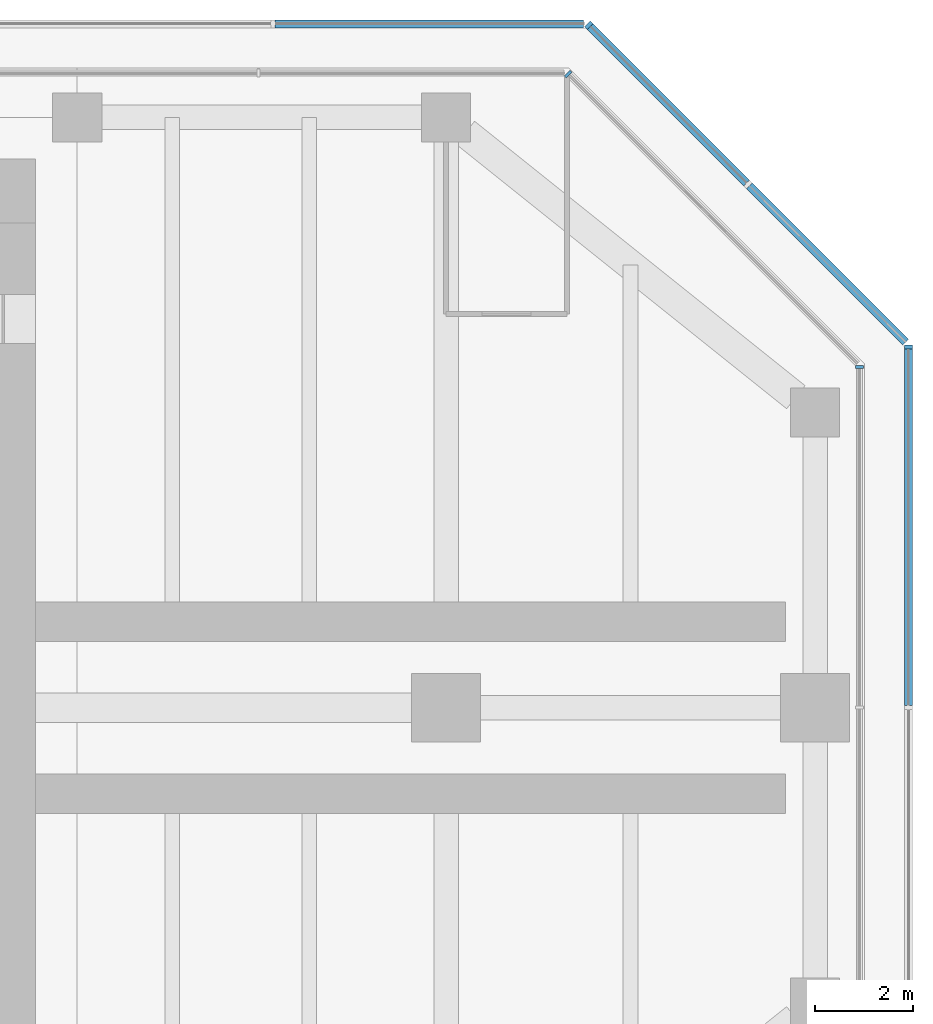
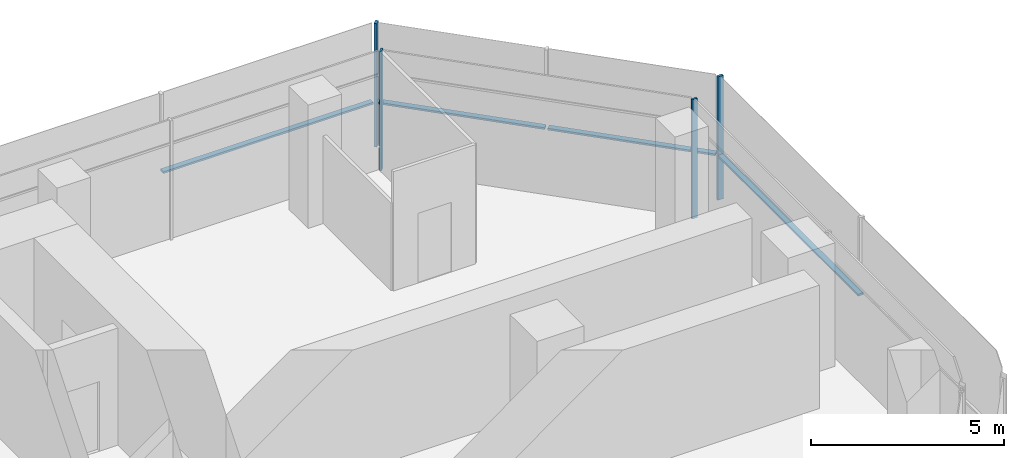
# One storey, part 8 of 15: 8 members, 5 elements without a shape of their own.
"""IFC4 building model written with IfcOpenShell, lengths in metres."""

from ifc_helpers import new_model, si_unit, direction, frame, origin, origin_2d, place, context, subcontext, project, spatial, rectangle, extrude, material, material_profile, profile_set, type_object, element, aggregate, save


model = new_model("IFC4")

# Units and contexts
model_context = context("Model", 3, precision=1e-05, world=origin(), true_north=direction((0.0, 1.0)))
body_context = subcontext(model_context, "Body", "Model", "MODEL_VIEW")
ifc_project = project(units=[si_unit("LENGTHUNIT", "METRE"), si_unit("AREAUNIT", "SQUARE_METRE"), si_unit("VOLUMEUNIT", "CUBIC_METRE"), si_unit("PLANEANGLEUNIT", "RADIAN"), si_unit("MASSUNIT", "GRAM", prefix="KILO")], contexts=[model_context])

# Site, building, storey
site_placement = place(None, origin())
site = spatial("IfcSite", under=ifc_project, at=site_placement, CompositionType="ELEMENT")
building_placement = place(site_placement, origin())
building = spatial("IfcBuilding", under=site, at=building_placement, Name="Mizan Broadcast Tower", CompositionType="ELEMENT")
storey_placement = place(building_placement, frame((0.0, 0.0, 279.0)))
storey = spatial("IfcBuildingStorey", under=building, at=storey_placement, Name="L66", CompositionType="ELEMENT", Elevation=279.0)

# Curtain wall, member
ifc_material_1 = material(Name="Aluminium framed glazing", Category="aluminium")
curtain_wall_type_1 = type_object("IfcCurtainWallType", Name="INNER SKIN TOP ZONE", PredefinedType="USERDEFINED", material=ifc_material_1)
curtain_wall_1_placement = place(storey_placement, origin())
curtain_wall_1 = element("IfcCurtainWall", 1, at=curtain_wall_1_placement, inside=storey, type_object=curtain_wall_type_1, Name="Inner skin top zone L66 E end", ObjectType="INNER SKIN TOP ZONE", PredefinedType="USERDEFINED")
ifc_material_2 = material(Name="Aluminium, pale anodised", Category="aluminium")
ifc_material_profile_1 = material_profile(ifc_material_2, rectangle(XDim=0.159912109375, YDim=0.06005859375, at=origin_2d()), Name="MULLION 160x60")
ifc_profile_set_1 = profile_set([ifc_material_profile_1], Name="Aluminium, pale anodised")
member_type_1 = type_object("IfcMemberType", Name="INNER SKIN MULLION 60x160", PredefinedType="MULLION", material=ifc_profile_set_1)
member_1_placement = place(storey_placement, frame((27.89990234375, 6.928466796875, 0.0), z_axis=(0.0, 0.0, 1.0), x_axis=(-1.0, 0.0, 0.0)))
member_1 = element("IfcMember", 2, at=member_1_placement, type_object=member_type_1, Name="Inner skin top zone L66 E end mullion 3", PredefinedType="MULLION", context=body_context, shape_type="SweptSolid", body=[
    extrude(rectangle(XDim=0.159912109375, YDim=0.06005859375, at=origin_2d()), origin(), (0.0, 0.0, 1.0), 3.77001953125),
])
aggregate(curtain_wall_1, [member_1])

curtain_wall_2_placement = place(storey_placement, origin())
curtain_wall_2 = element("IfcCurtainWall", 3, at=curtain_wall_2_placement, inside=storey, type_object=curtain_wall_type_1, Name="Inner skin top zone L66 E chamfer", ObjectType="INNER SKIN TOP ZONE", PredefinedType="USERDEFINED")
member_2_placement = place(storey_placement, frame((21.979736328125, 12.87890625, 0.0), z_axis=(0.0, 0.0, 1.0), x_axis=(-0.707106781187, -0.707106781187, 0.0)))
member_2 = element("IfcMember", 4, at=member_2_placement, type_object=member_type_1, Name="Inner skin top zone L66 E chamfer mullion 2", PredefinedType="MULLION", context=body_context, shape_type="SweptSolid", body=[
    extrude(rectangle(XDim=0.159912109375, YDim=0.06005859375, at=origin_2d()), origin(), (0.0, 0.0, 1.0), 3.77001953125),
])
aggregate(curtain_wall_2, [member_2])

ifc_material_3 = material(Name="Aluminium framed glazing", Category="aluminium")
curtain_wall_type_2 = type_object("IfcCurtainWallType", Name="OUTER SKIN", PredefinedType="USERDEFINED", material=ifc_material_3)
curtain_wall_3_placement = place(storey_placement, origin())
curtain_wall_3 = element("IfcCurtainWall", 5, at=curtain_wall_3_placement, inside=storey, type_object=curtain_wall_type_2, Name="Outer skin L66 E end", ObjectType="OUTER SKIN", PredefinedType="USERDEFINED")
ifc_material_4 = material(Name="Aluminium, pale anodised", Category="aluminium")
ifc_material_profile_2 = material_profile(ifc_material_4, rectangle(XDim=0.159912109375, YDim=0.080078125, at=origin_2d()), Name="MULLION 160x80")
ifc_profile_set_2 = profile_set([ifc_material_profile_2], Name="Aluminium, pale anodised")
member_type_2 = type_object("IfcMemberType", Name="OUTER SKIN MULLION 80x160", PredefinedType="MULLION", material=ifc_profile_set_2)
member_3_placement = place(storey_placement, frame((28.89990234375, 7.332763671875, 0.0), z_axis=(0.0, 0.0, 1.0), x_axis=(-1.0, 0.0, 0.0)))
member_3 = element("IfcMember", 6, at=member_3_placement, type_object=member_type_2, Name="Outer skin L66 E end mullion 3", PredefinedType="MULLION", context=body_context, shape_type="SweptSolid", body=[
    extrude(rectangle(XDim=0.159912109375, YDim=0.080078125, at=origin_2d()), origin(), (0.0, 0.0, 1.0), 3.89990234375),
])

curtain_wall_4_placement = place(storey_placement, origin())
curtain_wall_4 = element("IfcCurtainWall", 7, at=curtain_wall_4_placement, inside=storey, type_object=curtain_wall_type_2, Name="Outer skin L66 E chamfer", ObjectType="OUTER SKIN", PredefinedType="USERDEFINED")
member_4_placement = place(storey_placement, frame((22.401123046875, 13.871826171875, 0.0), z_axis=(0.0, 0.0, 1.0), x_axis=(-0.707106781187, -0.707106781187, 0.0)))
member_4 = element("IfcMember", 8, at=member_4_placement, type_object=member_type_2, Name="Outer skin L66 E chamfer mullion 3", PredefinedType="MULLION", context=body_context, shape_type="SweptSolid", body=[
    extrude(rectangle(XDim=0.159912109375, YDim=0.080078125, at=origin_2d()), origin(), (0.0, 0.0, 1.0), 3.89990234375),
])

# Member
ifc_material_5 = material(Name="Aluminium, pale anodised", Category="aluminium")
ifc_material_profile_3 = material_profile(ifc_material_5, rectangle(XDim=0.159912109375, YDim=0.06005859375, at=origin_2d()), Name="TRANSOM 160x60")
ifc_profile_set_3 = profile_set([ifc_material_profile_3], Name="Aluminium, pale anodised")
member_type_3 = type_object("IfcMemberType", Name="OUTER SKIN TRANSOM 60x160", PredefinedType="USERDEFINED", material=ifc_profile_set_3)
member_5_placement = place(storey_placement, frame((28.89990234375, 0.0400390625, 1.39990234375), z_axis=(0.0, 1.0, 0.0), x_axis=(-1.0, 0.0, 0.0)))
member_5 = element("IfcMember", 9, at=member_5_placement, type_object=member_type_3, Name="Outer skin L66 E end transom 2.1", ObjectType="TRANSOM", PredefinedType="USERDEFINED", context=body_context, shape_type="SweptSolid", body=[
    extrude(rectangle(XDim=0.159912109375, YDim=0.06005859375, at=origin_2d()), origin(), (0.0, 0.0, 1.0), 7.252685546875),
])

aggregate(curtain_wall_3, [member_3, member_5])

member_6_placement = place(storey_placement, frame((28.843505859375, 7.429443359375, 1.39990234375), z_axis=(-0.707106781187, 0.707106781187, 0.0), x_axis=(-0.707106781187, -0.707106781187, 0.0)))
member_6 = element("IfcMember", 10, at=member_6_placement, type_object=member_type_3, Name="Outer skin L66 E chamfer transom 1.1", ObjectType="TRANSOM", PredefinedType="USERDEFINED", context=body_context, shape_type="SweptSolid", body=[
    extrude(rectangle(XDim=0.159912109375, YDim=0.06005859375, at=origin_2d()), origin(), (0.0, 0.0, 1.0), 4.495361328125),
])

member_7_placement = place(storey_placement, frame((25.608154296875, 10.664794921875, 1.39990234375), z_axis=(-0.707106781187, 0.707106781187, 0.0), x_axis=(-0.707106781187, -0.707106781187, 0.0)))
member_7 = element("IfcMember", 11, at=member_7_placement, type_object=member_type_3, Name="Outer skin L66 E chamfer transom 2.1", ObjectType="TRANSOM", PredefinedType="USERDEFINED", context=body_context, shape_type="SweptSolid", body=[
    extrude(rectangle(XDim=0.159912109375, YDim=0.06005859375, at=origin_2d()), origin(), (0.0, 0.0, 1.0), 4.495361328125),
])

aggregate(curtain_wall_4, [member_4, member_6, member_7])

# Curtain wall, member
curtain_wall_5_placement = place(storey_placement, origin())
curtain_wall_5 = element("IfcCurtainWall", 12, at=curtain_wall_5_placement, inside=storey, type_object=curtain_wall_type_2, Name="Outer skin L66 N end", ObjectType="OUTER SKIN", PredefinedType="USERDEFINED")
member_8_placement = place(storey_placement, frame((22.292724609375, 13.89990234375, 1.39990234375), z_axis=(-1.0, 0.0, 0.0), x_axis=(0.0, -1.0, 0.0)))
member_8 = element("IfcMember", 13, at=member_8_placement, type_object=member_type_3, Name="Outer skin L66 N end transom 1.1", ObjectType="TRANSOM", PredefinedType="USERDEFINED", context=body_context, shape_type="SweptSolid", body=[
    extrude(rectangle(XDim=0.159912109375, YDim=0.06005859375, at=origin_2d()), origin(), (0.0, 0.0, 1.0), 6.272216796875),
])
aggregate(curtain_wall_5, [member_8])

save(model, "model.ifc")
